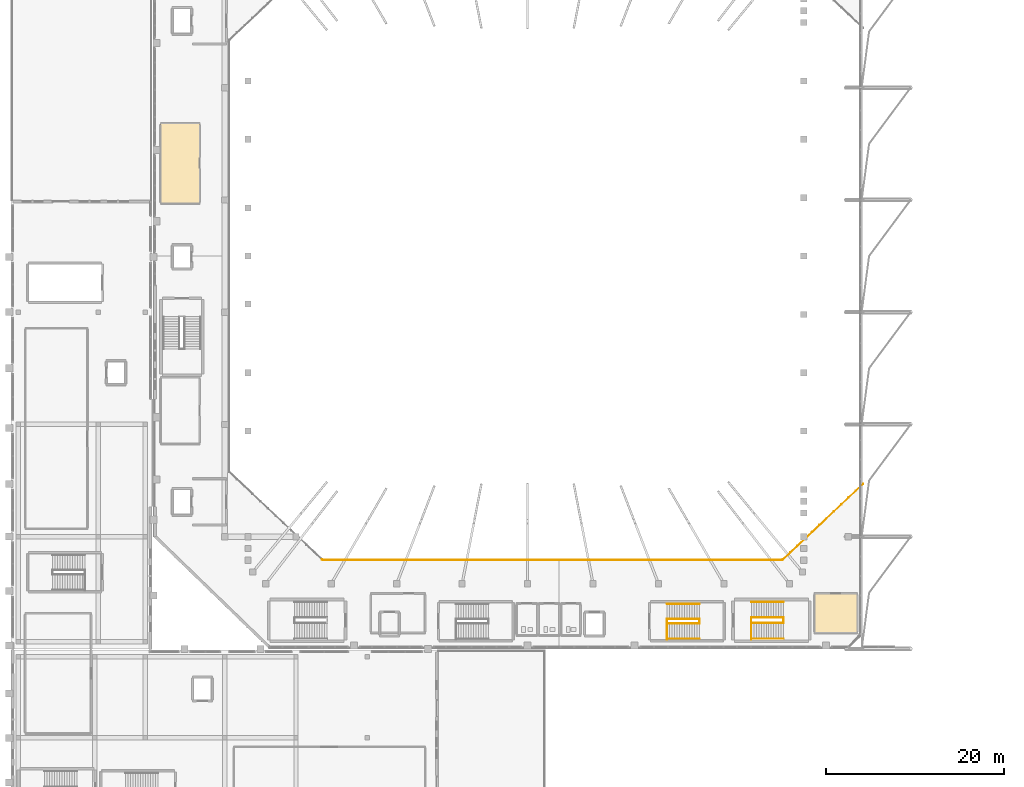
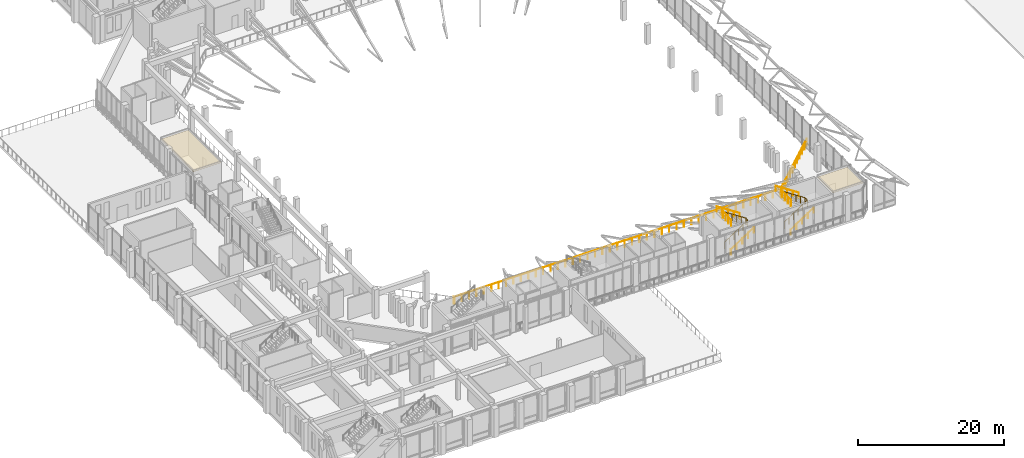
# One storey, part 74 of 79: 9 railings, 2 coverings.
"""IFC4 building model written with IfcOpenShell, lengths in metres."""

from ifc_helpers import new_model, si_unit, derived_unit, direction, frame, origin, origin_2d, place, context, subcontext, project, spatial, polyline, circle, outline, extrude, material, layer, layer_set, type_object, element, save


model = new_model("IFC4")

# Units and contexts
model_context = context("Model", 3, precision=1e-05, world=origin(), true_north=direction((0.0, 1.0)))
body_context = subcontext(model_context, "Body", "Model", "MODEL_VIEW")
ifc_project = project(units=[si_unit("LENGTHUNIT", "METRE"), si_unit("AREAUNIT", "SQUARE_METRE"), si_unit("VOLUMEUNIT", "CUBIC_METRE"), si_unit("PLANEANGLEUNIT", "RADIAN"), si_unit("MASSUNIT", "GRAM", prefix="KILO"), derived_unit("THERMALTRANSMITTANCEUNIT", [(si_unit("MASSUNIT", "GRAM", prefix="KILO"), 1), (si_unit("TIMEUNIT", "SECOND"), -3), (si_unit("THERMODYNAMICTEMPERATUREUNIT", "KELVIN"), -1)])], contexts=[model_context])

# Site, building, storey
site_placement = place(None, origin())
site = spatial("IfcSite", under=ifc_project, at=site_placement, CompositionType="ELEMENT")
building_placement = place(site_placement, origin())
building = spatial("IfcBuilding", under=site, at=building_placement, Name="Valcora Ridge Arena", CompositionType="ELEMENT")
storey_placement = place(building_placement, frame((0.0, 0.0, 16.199951171875)))
storey = spatial("IfcBuildingStorey", under=building, at=storey_placement, Name="L03", CompositionType="ELEMENT", Elevation=16.199951171875)

# Coverings
ifc_material_1 = material(Name="Perforated mineral-wool acoustic ceiling baffle tile")
ifc_layer = layer(ifc_material_1, 0.0400390625, Name="Perforated mineral-wool acoustic ceiling baffle tile")
ifc_layer_set = layer_set([ifc_layer], Name="Perforated mineral-wool acoustic ceiling baffle tile")
covering_type = type_object("IfcCoveringType", Name="TY-COVERING-CLG-ACOUSTIC-600", PredefinedType="CEILING", material=ifc_layer_set)
covering_1_placement = place(storey_placement, frame((0.0, 0.0, 4.090087890625)))
element("IfcCovering", 1, at=covering_1_placement, inside=storey, type_object=covering_type, Name="CLG-ACOUSTIC-600 COV-CL-0003", PredefinedType="CEILING", context=body_context, shape_type="SweptSolid", body=[
    extrude(outline(polyline([(90.199951171875, 21.800048828125), (95.0, 21.800048828125), (95.0, 26.199951171875), (90.199951171875, 26.199951171875), (90.199951171875, 21.800048828125)])), origin(), (0.0, 0.0, 1.0), 0.0400390625),
])
covering_2_placement = place(storey_placement, frame((0.0, 0.0, 4.090087890625)))
element("IfcCovering", 2, at=covering_2_placement, inside=storey, type_object=covering_type, Name="CLG-ACOUSTIC-600 COV-CL-0006", PredefinedType="CEILING", context=body_context, shape_type="SweptSolid", body=[
    extrude(outline(polyline([(16.800048828125, 70.0), (21.199951171875, 70.0), (21.199951171875, 79.0), (16.800048828125, 79.0), (16.800048828125, 70.0)])), origin(), (0.0, 0.0, 1.0), 0.0400390625),
])

# Railings
ifc_material_2 = material(Name="Galvanized painted steel ASTM A500 Grade B", Category="steel")
railing_type_1 = type_object("IfcRailingType", Name="TY-RAILING-GRD-STAIR-1120", PredefinedType="GUARDRAIL", material=ifc_material_2)
railing_1_placement = place(storey_placement, frame((83.110107421875, 22.89990234375, 0.0)))
element("IfcRailing", 3, at=railing_1_placement, inside=storey, type_object=railing_type_1, Name="GRD-STAIR-1120 RAL-SG-0021", PredefinedType="GUARDRAIL", context=body_context, shape_type="SweptSolid", body=[
    extrude(circle(Radius=0.02392578125, at=origin_2d()), frame((0.0, 0.0, 1.09619140625), z_axis=(0.834839479206, 0.0, 0.550493454965), x_axis=(0.0, 1.0, 0.0)), (0.0, 0.0, 1.0), 4.360107421875),
    extrude(circle(Radius=0.02392578125, at=origin_2d()), frame((3.639892578125, 0.0, 3.49609375), z_axis=(0.0, 1.0, 0.0), x_axis=(-1.0, 0.0, 0.0)), (0.0, 0.0, 1.0), 0.60009765625),
    extrude(circle(Radius=0.02392578125, at=origin_2d()), frame((3.639892578125, 0.60009765625, 3.49609375), z_axis=(-0.834865213223, 0.0, 0.550454426587), x_axis=(0.0, -1.0, 0.0)), (0.0, 0.0, 1.0), 4.35986328125),
    extrude(circle(Radius=0.02099609375, at=origin_2d()), origin(), (0.0, 0.0, 1.0), 1.072021484375),
    extrude(circle(Radius=0.02099609375, at=origin_2d()), frame((0.72802734375, 0.0, 0.47998046875)), (0.0, 0.0, 1.0), 1.072021484375),
    extrude(circle(Radius=0.02099609375, at=origin_2d()), frame((1.4560546875, 0.0, 0.9599609375)), (0.0, 0.0, 1.0), 1.072021484375),
    extrude(circle(Radius=0.02099609375, at=origin_2d()), frame((2.183837890625, 0.0, 1.440185546875)), (0.0, 0.0, 1.0), 1.072021484375),
    extrude(circle(Radius=0.02099609375, at=origin_2d()), frame((2.911865234375, 0.0, 1.920166015625)), (0.0, 0.0, 1.0), 1.072021484375),
    extrude(circle(Radius=0.02099609375, at=origin_2d()), frame((3.639892578125, 0.0, 2.400146484375)), (0.0, 0.0, 1.0), 1.072021484375),
    extrude(circle(Radius=0.02099609375, at=origin_2d()), frame((3.639892578125, 0.60009765625, 2.400146484375)), (0.0, 0.0, 1.0), 1.072021484375),
    extrude(circle(Radius=0.02099609375, at=origin_2d()), frame((2.911865234375, 0.60009765625, 2.880126953125)), (0.0, 0.0, 1.0), 1.072021484375),
    extrude(circle(Radius=0.02099609375, at=origin_2d()), frame((2.183837890625, 0.60009765625, 3.360107421875)), (0.0, 0.0, 1.0), 1.072021484375),
    extrude(circle(Radius=0.02099609375, at=origin_2d()), frame((1.4560546875, 0.60009765625, 3.840087890625)), (0.0, 0.0, 1.0), 1.072021484375),
    extrude(circle(Radius=0.02099609375, at=origin_2d()), frame((0.72802734375, 0.60009765625, 4.320068359375)), (0.0, 0.0, 1.0), 1.072021484375),
    extrude(circle(Radius=0.02099609375, at=origin_2d()), frame((0.0, 0.60009765625, 4.800048828125)), (0.0, 0.0, 1.0), 1.072021484375),
])
railing_2_placement = place(storey_placement, frame((83.110107421875, 21.050048828125, 4.800048828125)))
element("IfcRailing", 4, at=railing_2_placement, inside=storey, type_object=railing_type_1, Name="GRD-STAIR-1120 RAL-SG-0022", PredefinedType="GUARDRAIL", context=body_context, shape_type="SweptSolid", body=[
    extrude(circle(Radius=0.02392578125, at=origin_2d()), frame((0.0, 0.0, 1.09619140625), z_axis=(0.0, 1.0, 0.0), x_axis=(-1.0, 0.0, 0.0)), (0.0, 0.0, 1.0), 2.449951171875),
    extrude(circle(Radius=0.02099609375, at=origin_2d()), origin(), (0.0, 0.0, 1.0), 1.072021484375),
    extrude(circle(Radius=0.02099609375, at=origin_2d()), frame((0.0, 0.816650390625, 0.0)), (0.0, 0.0, 1.0), 1.072021484375),
    extrude(circle(Radius=0.02099609375, at=origin_2d()), frame((0.0, 1.63330078125, 0.0)), (0.0, 0.0, 1.0), 1.072021484375),
    extrude(circle(Radius=0.02099609375, at=origin_2d()), frame((0.0, 2.449951171875, 0.0)), (0.0, 0.0, 1.0), 1.072021484375),
])
railing_3_placement = place(storey_placement, frame((73.659912109375, 22.85009765625, 0.0)))
element("IfcRailing", 5, at=railing_3_placement, inside=storey, type_object=railing_type_1, Name="GRD-STAIR-1120 RAL-SG-0111", PredefinedType="GUARDRAIL", context=body_context, shape_type="SweptSolid", body=[
    extrude(circle(Radius=0.02392578125, at=origin_2d()), frame((0.0, 0.0, 1.09619140625), z_axis=(0.834856447115, 0.0, 0.55046772177), x_axis=(0.0, 1.0, 0.0)), (0.0, 0.0, 1.0), 4.360107421875),
    extrude(circle(Radius=0.02392578125, at=origin_2d()), frame((3.64013671875, 0.0, 3.49609375), z_axis=(0.0, 1.0, 0.0), x_axis=(-1.0, 0.0, 0.0)), (0.0, 0.0, 1.0), 0.5),
    extrude(circle(Radius=0.02392578125, at=origin_2d()), frame((3.64013671875, 0.5, 3.49609375), z_axis=(-0.83488217925, 0.0, 0.55042869363), x_axis=(0.0, -1.0, 0.0)), (0.0, 0.0, 1.0), 4.360107421875),
    extrude(circle(Radius=0.02099609375, at=origin_2d()), origin(), (0.0, 0.0, 1.0), 1.072021484375),
    extrude(circle(Radius=0.02099609375, at=origin_2d()), frame((0.72802734375, 0.0, 0.47998046875)), (0.0, 0.0, 1.0), 1.072021484375),
    extrude(circle(Radius=0.02099609375, at=origin_2d()), frame((1.4560546875, 0.0, 0.9599609375)), (0.0, 0.0, 1.0), 1.072021484375),
    extrude(circle(Radius=0.02099609375, at=origin_2d()), frame((2.18408203125, 0.0, 1.440185546875)), (0.0, 0.0, 1.0), 1.072021484375),
    extrude(circle(Radius=0.02099609375, at=origin_2d()), frame((2.912109375, 0.0, 1.920166015625)), (0.0, 0.0, 1.0), 1.072021484375),
    extrude(circle(Radius=0.02099609375, at=origin_2d()), frame((3.64013671875, 0.0, 2.400146484375)), (0.0, 0.0, 1.0), 1.072021484375),
    extrude(circle(Radius=0.02099609375, at=origin_2d()), frame((3.64013671875, 0.5, 2.400146484375)), (0.0, 0.0, 1.0), 1.072021484375),
    extrude(circle(Radius=0.02099609375, at=origin_2d()), frame((2.912109375, 0.5, 2.880126953125)), (0.0, 0.0, 1.0), 1.072021484375),
    extrude(circle(Radius=0.02099609375, at=origin_2d()), frame((2.18408203125, 0.5, 3.360107421875)), (0.0, 0.0, 1.0), 1.072021484375),
    extrude(circle(Radius=0.02099609375, at=origin_2d()), frame((1.4560546875, 0.5, 3.840087890625)), (0.0, 0.0, 1.0), 1.072021484375),
    extrude(circle(Radius=0.02099609375, at=origin_2d()), frame((0.72802734375, 0.5, 4.320068359375)), (0.0, 0.0, 1.0), 1.072021484375),
    extrude(circle(Radius=0.02099609375, at=origin_2d()), frame((0.0, 0.5, 4.800048828125)), (0.0, 0.0, 1.0), 1.072021484375),
])
railing_4_placement = place(storey_placement, frame((73.659912109375, 21.050048828125, 4.800048828125)))
element("IfcRailing", 6, at=railing_4_placement, inside=storey, type_object=railing_type_1, Name="GRD-STAIR-1120 RAL-SG-0112", PredefinedType="GUARDRAIL", context=body_context, shape_type="SweptSolid", body=[
    extrude(circle(Radius=0.02392578125, at=origin_2d()), frame((0.0, 0.0, 1.09619140625), z_axis=(0.0, 1.0, 0.0), x_axis=(-1.0, 0.0, 0.0)), (0.0, 0.0, 1.0), 2.300048828125),
    extrude(circle(Radius=0.02099609375, at=origin_2d()), origin(), (0.0, 0.0, 1.0), 1.072021484375),
    extrude(circle(Radius=0.02099609375, at=origin_2d()), frame((0.0, 0.7666015625, 0.0)), (0.0, 0.0, 1.0), 1.072021484375),
    extrude(circle(Radius=0.02099609375, at=origin_2d()), frame((0.0, 1.533447265625, 0.0)), (0.0, 0.0, 1.0), 1.072021484375),
    extrude(circle(Radius=0.02099609375, at=origin_2d()), frame((0.0, 2.300048828125, 0.0)), (0.0, 0.0, 1.0), 1.072021484375),
])
railing_type_2 = type_object("IfcRailingType", Name="TY-RAILING-GRD-VOID-1120", PredefinedType="GUARDRAIL", material=ifc_material_2)
railing_5_placement = place(storey_placement, frame((95.677490234375, 38.516357421875, 0.0)))
element("IfcRailing", 7, at=railing_5_placement, inside=storey, type_object=railing_type_2, Name="GRD-VOID-1120 RAL-DK-0008", PredefinedType="GUARDRAIL", context=body_context, shape_type="SweptSolid", body=[
    extrude(circle(Radius=0.02392578125, at=origin_2d()), frame((0.0, 0.0, 1.09619140625), z_axis=(-0.727780642082, -0.685809986083, 0.0), x_axis=(0.685809986083, -0.727780642082, 0.0)), (0.0, 0.0, 1.0), 12.37841796875),
    extrude(circle(Radius=0.02392578125, at=origin_2d()), frame((-9.0087890625, -8.4892578125, 1.09619140625), z_axis=(-0.768221279597, -0.640184399664, 0.0), x_axis=(0.640184399664, -0.768221279597, 0.0)), (0.0, 0.0, 1.0), 0.009521484375),
    extrude(circle(Radius=0.02392578125, at=origin_2d()), frame((-9.01611328125, -8.495361328125, 1.09619140625), z_axis=(-0.815507144735, -0.578747005941, 0.0), x_axis=(0.578747005941, -0.815507144735, 0.0)), (0.0, 0.0, 1.0), 0.00927734375),
    extrude(circle(Radius=0.02392578125, at=origin_2d()), frame((-9.023681640625, -8.500732421875, 1.09619140625), z_axis=(-0.872943482137, -0.487821357665, 0.0), x_axis=(0.487821357665, -0.872943482137, 0.0)), (0.0, 0.0, 1.0), 0.009521484375),
    extrude(circle(Radius=0.02392578125, at=origin_2d()), frame((-9.031982421875, -8.50537109375, 1.09619140625), z_axis=(-0.909474475586, -0.415759760268, 0.0), x_axis=(0.415759760268, -0.909474475586, 0.0)), (0.0, 0.0, 1.0), 0.00927734375),
    extrude(circle(Radius=0.02392578125, at=origin_2d()), frame((-9.04052734375, -8.50927734375, 1.09619140625), z_axis=(-0.943460139651, -0.331485995013, 0.0), x_axis=(0.331485995013, -0.943460139651, 0.0)), (0.0, 0.0, 1.0), 0.009521484375),
    extrude(circle(Radius=0.02392578125, at=origin_2d()), frame((-9.049560546875, -8.512451171875, 1.09619140625), z_axis=(-0.971667603162, -0.236351579148, 0.0), x_axis=(0.236351579148, -0.971667603162, 0.0)), (0.0, 0.0, 1.0), 0.00927734375),
    extrude(circle(Radius=0.02392578125, at=origin_2d()), frame((-9.05859375, -8.5146484375, 1.09619140625), z_axis=(-0.991881664686, -0.127164315985, 0.0), x_axis=(0.127164315985, -0.991881664686, 0.0)), (0.0, 0.0, 1.0), 0.009521484375),
    extrude(circle(Radius=0.02392578125, at=origin_2d()), frame((-9.068115234375, -8.515869140625, 1.09619140625), z_axis=(-0.998617829333, -0.052558833123, 0.0), x_axis=(0.052558833123, -0.998617829333, 0.0)), (0.0, 0.0, 1.0), 0.00927734375),
    extrude(circle(Radius=0.02392578125, at=origin_2d()), frame((-9.077392578125, -8.516357421875, 1.09619140625), z_axis=(-1.0, 0.0, 0.0), x_axis=(0.0, -1.0, 0.0)), (0.0, 0.0, 1.0), 51.60009765625),
    extrude(circle(Radius=0.02392578125, at=origin_2d()), frame((-60.677490234375, -8.516357421875, 1.09619140625), z_axis=(-0.998687663477, 0.051214751973, 0.0), x_axis=(-0.051214751973, -0.998687663477, 0.0)), (0.0, 0.0, 1.0), 0.009521484375),
    extrude(circle(Radius=0.02392578125, at=origin_2d()), frame((-60.68701171875, -8.515869140625, 1.09619140625), z_axis=(-0.991454295543, 0.130454512571, 0.0), x_axis=(-0.130454512571, -0.991454295543, 0.0)), (0.0, 0.0, 1.0), 0.00927734375),
    extrude(circle(Radius=0.02392578125, at=origin_2d()), frame((-60.6962890625, -8.5146484375, 1.09619140625), z_axis=(-0.97308028749, 0.230466383879, 0.0), x_axis=(-0.230466383879, -0.97308028749, 0.0)), (0.0, 0.0, 1.0), 0.009521484375),
    extrude(circle(Radius=0.02392578125, at=origin_2d()), frame((-60.70556640625, -8.512451171875, 1.09619140625), z_axis=(-0.940553899692, 0.339644463778, 0.0), x_axis=(-0.339644463778, -0.940553899692, 0.0)), (0.0, 0.0, 1.0), 0.00927734375),
    extrude(circle(Radius=0.02392578125, at=origin_2d()), frame((-60.71435546875, -8.50927734375, 1.09619140625), z_axis=(-0.909474475586, 0.415759760268, 0.0), x_axis=(-0.415759760268, -0.909474475586, 0.0)), (0.0, 0.0, 1.0), 0.00927734375),
    extrude(circle(Radius=0.02392578125, at=origin_2d()), frame((-60.722900390625, -8.50537109375, 1.09619140625), z_axis=(-0.872943482137, 0.487821357665, 0.0), x_axis=(-0.487821357665, -0.872943482137, 0.0)), (0.0, 0.0, 1.0), 0.009521484375),
    extrude(circle(Radius=0.02392578125, at=origin_2d()), frame((-60.731201171875, -8.500732421875, 1.09619140625), z_axis=(-0.815507144735, 0.578747005941, 0.0), x_axis=(-0.578747005941, -0.815507144735, 0.0)), (0.0, 0.0, 1.0), 0.00927734375),
    extrude(circle(Radius=0.02392578125, at=origin_2d()), frame((-60.73876953125, -8.495361328125, 1.09619140625), z_axis=(-0.768221279597, 0.640184399664, 0.0), x_axis=(-0.640184399664, -0.768221279597, 0.0)), (0.0, 0.0, 1.0), 0.009521484375),
    extrude(circle(Radius=0.02099609375, at=origin_2d()), origin(), (0.0, 0.0, 1.0), 1.072021484375),
    extrude(circle(Radius=0.02099609375, at=origin_2d()), frame((-0.819091796875, -0.771728515625, 0.0)), (0.0, 0.0, 1.0), 1.072021484375),
    extrude(circle(Radius=0.02099609375, at=origin_2d()), frame((-1.637939453125, -1.54345703125, 0.0)), (0.0, 0.0, 1.0), 1.072021484375),
    extrude(circle(Radius=0.02099609375, at=origin_2d()), frame((-2.45703125, -2.315185546875, 0.0)), (0.0, 0.0, 1.0), 1.072021484375),
    extrude(circle(Radius=0.02099609375, at=origin_2d()), frame((-3.27587890625, -3.0869140625, 0.0)), (0.0, 0.0, 1.0), 1.072021484375),
    extrude(circle(Radius=0.02099609375, at=origin_2d()), frame((-4.094970703125, -3.858642578125, 0.0)), (0.0, 0.0, 1.0), 1.072021484375),
    extrude(circle(Radius=0.02099609375, at=origin_2d()), frame((-4.913818359375, -4.630615234375, 0.0)), (0.0, 0.0, 1.0), 1.072021484375),
    extrude(circle(Radius=0.02099609375, at=origin_2d()), frame((-5.73291015625, -5.40234375, 0.0)), (0.0, 0.0, 1.0), 1.072021484375),
    extrude(circle(Radius=0.02099609375, at=origin_2d()), frame((-6.5517578125, -6.174072265625, 0.0)), (0.0, 0.0, 1.0), 1.072021484375),
    extrude(circle(Radius=0.02099609375, at=origin_2d()), frame((-7.370849609375, -6.94580078125, 0.0)), (0.0, 0.0, 1.0), 1.072021484375),
    extrude(circle(Radius=0.02099609375, at=origin_2d()), frame((-8.189697265625, -7.717529296875, 0.0)), (0.0, 0.0, 1.0), 1.072021484375),
    extrude(circle(Radius=0.02099609375, at=origin_2d()), frame((-9.0087890625, -8.4892578125, 0.0)), (0.0, 0.0, 1.0), 1.072021484375),
    extrude(circle(Radius=0.02099609375, at=origin_2d()), frame((-9.01611328125, -8.495361328125, 0.0)), (0.0, 0.0, 1.0), 1.072021484375),
    extrude(circle(Radius=0.02099609375, at=origin_2d()), frame((-9.023681640625, -8.500732421875, 0.0)), (0.0, 0.0, 1.0), 1.072021484375),
    extrude(circle(Radius=0.02099609375, at=origin_2d()), frame((-9.031982421875, -8.50537109375, 0.0)), (0.0, 0.0, 1.0), 1.072021484375),
    extrude(circle(Radius=0.02099609375, at=origin_2d()), frame((-9.04052734375, -8.50927734375, 0.0)), (0.0, 0.0, 1.0), 1.072021484375),
    extrude(circle(Radius=0.02099609375, at=origin_2d()), frame((-9.049560546875, -8.512451171875, 0.0)), (0.0, 0.0, 1.0), 1.072021484375),
    extrude(circle(Radius=0.02099609375, at=origin_2d()), frame((-9.05859375, -8.5146484375, 0.0)), (0.0, 0.0, 1.0), 1.072021484375),
    extrude(circle(Radius=0.02099609375, at=origin_2d()), frame((-9.068115234375, -8.515869140625, 0.0)), (0.0, 0.0, 1.0), 1.072021484375),
    extrude(circle(Radius=0.02099609375, at=origin_2d()), frame((-9.077392578125, -8.516357421875, 0.0)), (0.0, 0.0, 1.0), 1.072021484375),
    extrude(circle(Radius=0.02099609375, at=origin_2d()), frame((-10.25, -8.516357421875, 0.0)), (0.0, 0.0, 1.0), 1.072021484375),
    extrude(circle(Radius=0.02099609375, at=origin_2d()), frame((-11.4228515625, -8.516357421875, 0.0)), (0.0, 0.0, 1.0), 1.072021484375),
    extrude(circle(Radius=0.02099609375, at=origin_2d()), frame((-12.595703125, -8.516357421875, 0.0)), (0.0, 0.0, 1.0), 1.072021484375),
    extrude(circle(Radius=0.02099609375, at=origin_2d()), frame((-13.768310546875, -8.516357421875, 0.0)), (0.0, 0.0, 1.0), 1.072021484375),
    extrude(circle(Radius=0.02099609375, at=origin_2d()), frame((-14.94091796875, -8.516357421875, 0.0)), (0.0, 0.0, 1.0), 1.072021484375),
    extrude(circle(Radius=0.02099609375, at=origin_2d()), frame((-16.11376953125, -8.516357421875, 0.0)), (0.0, 0.0, 1.0), 1.072021484375),
    extrude(circle(Radius=0.02099609375, at=origin_2d()), frame((-17.28662109375, -8.516357421875, 0.0)), (0.0, 0.0, 1.0), 1.072021484375),
    extrude(circle(Radius=0.02099609375, at=origin_2d()), frame((-18.459228515625, -8.516357421875, 0.0)), (0.0, 0.0, 1.0), 1.072021484375),
    extrude(circle(Radius=0.02099609375, at=origin_2d()), frame((-19.6318359375, -8.516357421875, 0.0)), (0.0, 0.0, 1.0), 1.072021484375),
    extrude(circle(Radius=0.02099609375, at=origin_2d()), frame((-20.8046875, -8.516357421875, 0.0)), (0.0, 0.0, 1.0), 1.072021484375),
    extrude(circle(Radius=0.02099609375, at=origin_2d()), frame((-21.9775390625, -8.516357421875, 0.0)), (0.0, 0.0, 1.0), 1.072021484375),
    extrude(circle(Radius=0.02099609375, at=origin_2d()), frame((-23.150146484375, -8.516357421875, 0.0)), (0.0, 0.0, 1.0), 1.072021484375),
    extrude(circle(Radius=0.02099609375, at=origin_2d()), frame((-24.32275390625, -8.516357421875, 0.0)), (0.0, 0.0, 1.0), 1.072021484375),
    extrude(circle(Radius=0.02099609375, at=origin_2d()), frame((-25.49560546875, -8.516357421875, 0.0)), (0.0, 0.0, 1.0), 1.072021484375),
    extrude(circle(Radius=0.02099609375, at=origin_2d()), frame((-26.66845703125, -8.516357421875, 0.0)), (0.0, 0.0, 1.0), 1.072021484375),
    extrude(circle(Radius=0.02099609375, at=origin_2d()), frame((-27.841064453125, -8.516357421875, 0.0)), (0.0, 0.0, 1.0), 1.072021484375),
    extrude(circle(Radius=0.02099609375, at=origin_2d()), frame((-29.013671875, -8.516357421875, 0.0)), (0.0, 0.0, 1.0), 1.072021484375),
    extrude(circle(Radius=0.02099609375, at=origin_2d()), frame((-30.1865234375, -8.516357421875, 0.0)), (0.0, 0.0, 1.0), 1.072021484375),
    extrude(circle(Radius=0.02099609375, at=origin_2d()), frame((-31.359375, -8.516357421875, 0.0)), (0.0, 0.0, 1.0), 1.072021484375),
    extrude(circle(Radius=0.02099609375, at=origin_2d()), frame((-32.531982421875, -8.516357421875, 0.0)), (0.0, 0.0, 1.0), 1.072021484375),
    extrude(circle(Radius=0.02099609375, at=origin_2d()), frame((-33.70458984375, -8.516357421875, 0.0)), (0.0, 0.0, 1.0), 1.072021484375),
    extrude(circle(Radius=0.02099609375, at=origin_2d()), frame((-34.87744140625, -8.516357421875, 0.0)), (0.0, 0.0, 1.0), 1.072021484375),
    extrude(circle(Radius=0.02099609375, at=origin_2d()), frame((-36.05029296875, -8.516357421875, 0.0)), (0.0, 0.0, 1.0), 1.072021484375),
    extrude(circle(Radius=0.02099609375, at=origin_2d()), frame((-37.222900390625, -8.516357421875, 0.0)), (0.0, 0.0, 1.0), 1.072021484375),
    extrude(circle(Radius=0.02099609375, at=origin_2d()), frame((-38.3955078125, -8.516357421875, 0.0)), (0.0, 0.0, 1.0), 1.072021484375),
    extrude(circle(Radius=0.02099609375, at=origin_2d()), frame((-39.568359375, -8.516357421875, 0.0)), (0.0, 0.0, 1.0), 1.072021484375),
    extrude(circle(Radius=0.02099609375, at=origin_2d()), frame((-40.7412109375, -8.516357421875, 0.0)), (0.0, 0.0, 1.0), 1.072021484375),
    extrude(circle(Radius=0.02099609375, at=origin_2d()), frame((-41.913818359375, -8.516357421875, 0.0)), (0.0, 0.0, 1.0), 1.072021484375),
    extrude(circle(Radius=0.02099609375, at=origin_2d()), frame((-43.08642578125, -8.516357421875, 0.0)), (0.0, 0.0, 1.0), 1.072021484375),
    extrude(circle(Radius=0.02099609375, at=origin_2d()), frame((-44.25927734375, -8.516357421875, 0.0)), (0.0, 0.0, 1.0), 1.072021484375),
    extrude(circle(Radius=0.02099609375, at=origin_2d()), frame((-45.43212890625, -8.516357421875, 0.0)), (0.0, 0.0, 1.0), 1.072021484375),
    extrude(circle(Radius=0.02099609375, at=origin_2d()), frame((-46.604736328125, -8.516357421875, 0.0)), (0.0, 0.0, 1.0), 1.072021484375),
    extrude(circle(Radius=0.02099609375, at=origin_2d()), frame((-47.77734375, -8.516357421875, 0.0)), (0.0, 0.0, 1.0), 1.072021484375),
    extrude(circle(Radius=0.02099609375, at=origin_2d()), frame((-48.9501953125, -8.516357421875, 0.0)), (0.0, 0.0, 1.0), 1.072021484375),
    extrude(circle(Radius=0.02099609375, at=origin_2d()), frame((-50.123046875, -8.516357421875, 0.0)), (0.0, 0.0, 1.0), 1.072021484375),
    extrude(circle(Radius=0.02099609375, at=origin_2d()), frame((-51.295654296875, -8.516357421875, 0.0)), (0.0, 0.0, 1.0), 1.072021484375),
    extrude(circle(Radius=0.02099609375, at=origin_2d()), frame((-52.46826171875, -8.516357421875, 0.0)), (0.0, 0.0, 1.0), 1.072021484375),
    extrude(circle(Radius=0.02099609375, at=origin_2d()), frame((-53.64111328125, -8.516357421875, 0.0)), (0.0, 0.0, 1.0), 1.072021484375),
    extrude(circle(Radius=0.02099609375, at=origin_2d()), frame((-54.81396484375, -8.516357421875, 0.0)), (0.0, 0.0, 1.0), 1.072021484375),
    extrude(circle(Radius=0.02099609375, at=origin_2d()), frame((-55.986572265625, -8.516357421875, 0.0)), (0.0, 0.0, 1.0), 1.072021484375),
    extrude(circle(Radius=0.02099609375, at=origin_2d()), frame((-57.1591796875, -8.516357421875, 0.0)), (0.0, 0.0, 1.0), 1.072021484375),
    extrude(circle(Radius=0.02099609375, at=origin_2d()), frame((-58.33203125, -8.516357421875, 0.0)), (0.0, 0.0, 1.0), 1.072021484375),
    extrude(circle(Radius=0.02099609375, at=origin_2d()), frame((-59.5048828125, -8.516357421875, 0.0)), (0.0, 0.0, 1.0), 1.072021484375),
    extrude(circle(Radius=0.02099609375, at=origin_2d()), frame((-60.677490234375, -8.516357421875, 0.0)), (0.0, 0.0, 1.0), 1.072021484375),
    extrude(circle(Radius=0.02099609375, at=origin_2d()), frame((-60.68701171875, -8.515869140625, 0.0)), (0.0, 0.0, 1.0), 1.072021484375),
    extrude(circle(Radius=0.02099609375, at=origin_2d()), frame((-60.6962890625, -8.5146484375, 0.0)), (0.0, 0.0, 1.0), 1.072021484375),
    extrude(circle(Radius=0.02099609375, at=origin_2d()), frame((-60.70556640625, -8.512451171875, 0.0)), (0.0, 0.0, 1.0), 1.072021484375),
    extrude(circle(Radius=0.02099609375, at=origin_2d()), frame((-60.71435546875, -8.50927734375, 0.0)), (0.0, 0.0, 1.0), 1.072021484375),
    extrude(circle(Radius=0.02099609375, at=origin_2d()), frame((-60.722900390625, -8.50537109375, 0.0)), (0.0, 0.0, 1.0), 1.072021484375),
    extrude(circle(Radius=0.02099609375, at=origin_2d()), frame((-60.731201171875, -8.500732421875, 0.0)), (0.0, 0.0, 1.0), 1.072021484375),
    extrude(circle(Radius=0.02099609375, at=origin_2d()), frame((-60.73876953125, -8.495361328125, 0.0)), (0.0, 0.0, 1.0), 1.072021484375),
    extrude(circle(Radius=0.02099609375, at=origin_2d()), frame((-60.74609375, -8.4892578125, 0.0)), (0.0, 0.0, 1.0), 1.072021484375),
])
railing_type_3 = type_object("IfcRailingType", Name="TY-RAILING-HR-STAIR-900", PredefinedType="HANDRAIL", material=ifc_material_2)
railing_6_placement = place(storey_placement, frame((83.110107421875, 21.139892578125, 0.0)))
element("IfcRailing", 8, at=railing_6_placement, inside=storey, type_object=railing_type_3, Name="HR-STAIR-900 RAL-SH-0021", PredefinedType="HANDRAIL", context=body_context, shape_type="SweptSolid", body=[
    extrude(circle(Radius=0.02392578125, at=origin_2d()), frame((0.0, 0.0, 0.8759765625), z_axis=(0.834839479206, 0.0, 0.550493454965), x_axis=(0.0, 1.0, 0.0)), (0.0, 0.0, 1.0), 4.360107421875),
    extrude(circle(Radius=0.02099609375, at=origin_2d()), origin(), (0.0, 0.0, 1.0), 0.851806640625),
    extrude(circle(Radius=0.02099609375, at=origin_2d()), frame((0.909912109375, 0.0, 0.60009765625)), (0.0, 0.0, 1.0), 0.851806640625),
    extrude(circle(Radius=0.02099609375, at=origin_2d()), frame((1.81982421875, 0.0, 1.2001953125)), (0.0, 0.0, 1.0), 0.851806640625),
    extrude(circle(Radius=0.02099609375, at=origin_2d()), frame((2.72998046875, 0.0, 1.800048828125)), (0.0, 0.0, 1.0), 0.851806640625),
    extrude(circle(Radius=0.02099609375, at=origin_2d()), frame((3.639892578125, 0.0, 2.400146484375)), (0.0, 0.0, 1.0), 0.851806640625),
])
railing_7_placement = place(storey_placement, frame((86.75, 25.260009765625, 2.400146484375)))
element("IfcRailing", 9, at=railing_7_placement, inside=storey, type_object=railing_type_3, Name="HR-STAIR-900 RAL-SH-0022", PredefinedType="HANDRAIL", context=body_context, shape_type="SweptSolid", body=[
    extrude(circle(Radius=0.02392578125, at=origin_2d()), frame((0.0, 0.0, 0.8759765625), z_axis=(-0.834865213223, 0.0, 0.550454426587), x_axis=(0.0, -1.0, 0.0)), (0.0, 0.0, 1.0), 4.35986328125),
    extrude(circle(Radius=0.02099609375, at=origin_2d()), origin(), (0.0, 0.0, 1.0), 0.851806640625),
    extrude(circle(Radius=0.02099609375, at=origin_2d()), frame((-0.909912109375, 0.0, 0.60009765625)), (0.0, 0.0, 1.0), 0.851806640625),
    extrude(circle(Radius=0.02099609375, at=origin_2d()), frame((-1.81982421875, 0.0, 1.199951171875)), (0.0, 0.0, 1.0), 0.851806640625),
    extrude(circle(Radius=0.02099609375, at=origin_2d()), frame((-2.72998046875, 0.0, 1.7998046875)), (0.0, 0.0, 1.0), 0.851806640625),
    extrude(circle(Radius=0.02099609375, at=origin_2d()), frame((-3.639892578125, 0.0, 2.39990234375)), (0.0, 0.0, 1.0), 0.851806640625),
])
railing_8_placement = place(storey_placement, frame((73.659912109375, 21.139892578125, 0.0)))
element("IfcRailing", 10, at=railing_8_placement, inside=storey, type_object=railing_type_3, Name="HR-STAIR-900 RAL-SH-0111", PredefinedType="HANDRAIL", context=body_context, shape_type="SweptSolid", body=[
    extrude(circle(Radius=0.02392578125, at=origin_2d()), frame((0.0, 0.0, 0.8759765625), z_axis=(0.834856447115, 0.0, 0.55046772177), x_axis=(0.0, 1.0, 0.0)), (0.0, 0.0, 1.0), 4.360107421875),
    extrude(circle(Radius=0.02099609375, at=origin_2d()), origin(), (0.0, 0.0, 1.0), 0.851806640625),
    extrude(circle(Radius=0.02099609375, at=origin_2d()), frame((0.91015625, 0.0, 0.60009765625)), (0.0, 0.0, 1.0), 0.851806640625),
    extrude(circle(Radius=0.02099609375, at=origin_2d()), frame((1.820068359375, 0.0, 1.2001953125)), (0.0, 0.0, 1.0), 0.851806640625),
    extrude(circle(Radius=0.02099609375, at=origin_2d()), frame((2.72998046875, 0.0, 1.800048828125)), (0.0, 0.0, 1.0), 0.851806640625),
    extrude(circle(Radius=0.02099609375, at=origin_2d()), frame((3.64013671875, 0.0, 2.400146484375)), (0.0, 0.0, 1.0), 0.851806640625),
])
railing_9_placement = place(storey_placement, frame((77.300048828125, 25.06005859375, 2.400146484375)))
element("IfcRailing", 11, at=railing_9_placement, inside=storey, type_object=railing_type_3, Name="HR-STAIR-900 RAL-SH-0112", PredefinedType="HANDRAIL", context=body_context, shape_type="SweptSolid", body=[
    extrude(circle(Radius=0.02392578125, at=origin_2d()), frame((0.0, 0.0, 0.8759765625), z_axis=(-0.83488217925, 0.0, 0.55042869363), x_axis=(0.0, -1.0, 0.0)), (0.0, 0.0, 1.0), 4.360107421875),
    extrude(circle(Radius=0.02099609375, at=origin_2d()), origin(), (0.0, 0.0, 1.0), 0.851806640625),
    extrude(circle(Radius=0.02099609375, at=origin_2d()), frame((-0.91015625, 0.0, 0.60009765625)), (0.0, 0.0, 1.0), 0.851806640625),
    extrude(circle(Radius=0.02099609375, at=origin_2d()), frame((-1.820068359375, 0.0, 1.199951171875)), (0.0, 0.0, 1.0), 0.851806640625),
    extrude(circle(Radius=0.02099609375, at=origin_2d()), frame((-2.72998046875, 0.0, 1.7998046875)), (0.0, 0.0, 1.0), 0.851806640625),
    extrude(circle(Radius=0.02099609375, at=origin_2d()), frame((-3.64013671875, 0.0, 2.39990234375)), (0.0, 0.0, 1.0), 0.851806640625),
])

save(model, "model.ifc")
